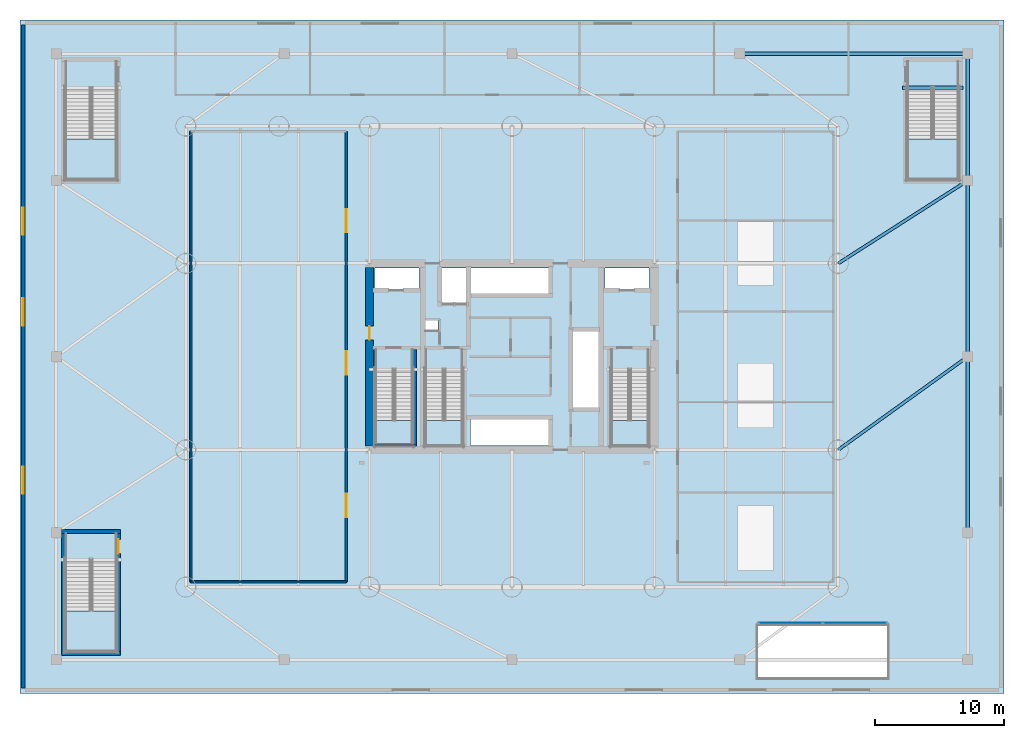
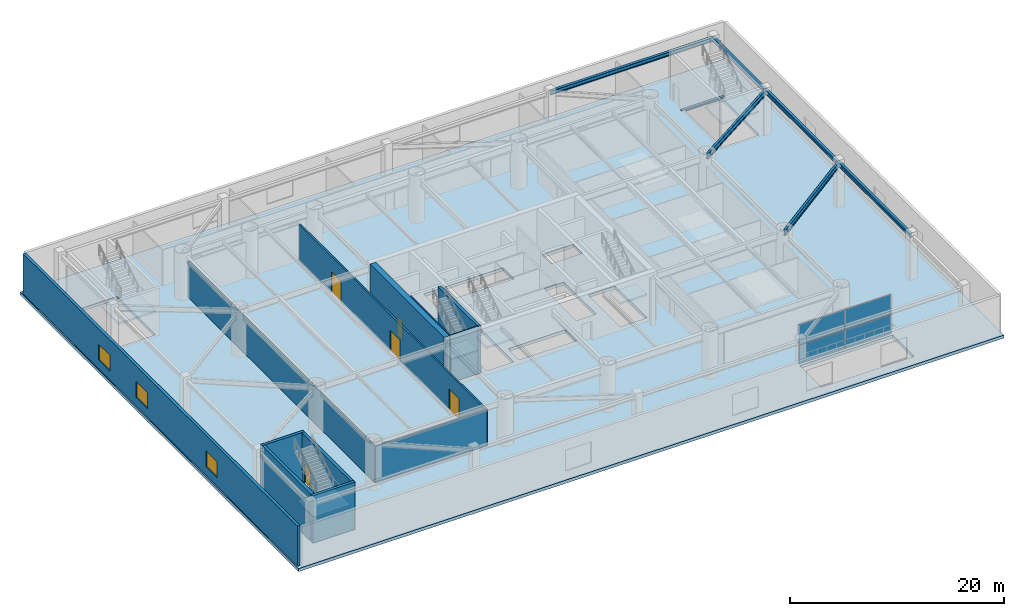
# One storey, part 5 of 16: 12 walls, 7 beams, 7 slabs, 5 doors, 4 plates, 3 windows, 8 openings, 7 elements without a shape of their own.
"""IFC4 building model written with IfcOpenShell, lengths in metres."""

from ifc_helpers import new_model, si_unit, direction, frame, frame_2d, origin, origin_2d, place, context, subcontext, project, spatial, polyline, rectangle, i_section, outline, extrude, material, layer, layer_set, material_profile, profile_set, type_object, element, fill, aggregate, save


model = new_model("IFC4")

# Units and contexts
model_context = context("Model", 3, precision=1e-05, world=origin(), true_north=direction((0.0, 1.0)))
body_context = subcontext(model_context, "Body", "Model", "MODEL_VIEW")
ifc_project = project(units=[si_unit("LENGTHUNIT", "METRE"), si_unit("AREAUNIT", "SQUARE_METRE"), si_unit("VOLUMEUNIT", "CUBIC_METRE"), si_unit("PLANEANGLEUNIT", "RADIAN"), si_unit("MASSUNIT", "GRAM", prefix="KILO")], contexts=[model_context])

# Site, building, storey
site_placement = place(None, origin())
site = spatial("IfcSite", under=ifc_project, at=site_placement, CompositionType="ELEMENT")
building_placement = place(site_placement, origin())
building = spatial("IfcBuilding", under=site, at=building_placement, Name="Bramvorn Convention Spire", CompositionType="ELEMENT")
storey_placement = place(building_placement, frame((0.0, 0.0, 18.60009765625)))
storey = spatial("IfcBuildingStorey", under=building, at=storey_placement, Name="L03", CompositionType="ELEMENT", Elevation=18.60009765625)

# Beams
ifc_material_1 = material(Name="Steel CSA G40.21 Grade 350 (350W)", Category="steel")
ifc_material_profile_1 = material_profile(ifc_material_1, i_section(OverallWidth=0.25390625, OverallDepth=0.2529296875, WebThickness=0.008544921875, FlangeThickness=0.01416015625, FilletRadius=0.011962890625, at=origin_2d()))
ifc_profile_set_1 = profile_set([ifc_material_profile_1], Name="Steel CSA G40.21 Grade 350 (350W) - W250X73")
beam_type_1 = type_object("IfcBeamType", Name="BM-W250X73", PredefinedType="BEAM", material=ifc_profile_set_1)
beam_1_placement = place(storey_placement, frame((68.169921875, 46.760009765625, -0.126708984375), z_axis=(1.0, 0.0, 0.0), x_axis=(0.0, 1.0, 0.0)))
element("IfcBeam", 1, at=beam_1_placement, inside=storey, type_object=beam_type_1, Name="L03 ST5 stair arrival header beam", PredefinedType="BEAM", context=body_context, shape_type="SweptSolid", body=[
    extrude(i_section(OverallWidth=0.25390625, OverallDepth=0.2529296875, WebThickness=0.008544921875, FlangeThickness=0.01416015625, FilletRadius=0.011962890625, at=origin_2d()), origin(), (0.0, 0.0, 1.0), 4.68017578125),
])
ifc_material_profile_2 = material_profile(ifc_material_1, i_section(OverallWidth=0.283935546875, OverallDepth=0.47607421875, WebThickness=0.014892578125, FlangeThickness=0.02392578125, FilletRadius=0.01806640625, at=origin_2d()))
ifc_profile_set_2 = profile_set([ifc_material_profile_2], Name="Steel CSA G40.21 Grade 350 (350W) - W460X158")
beam_type_2 = type_object("IfcBeamType", Name="BM-W460X158", PredefinedType="SPANDREL", material=ifc_profile_set_2)
for number, where, z_axis, x_axis, name in (
    (2, (73.199951171875, 12.39990234375, 4.81201171875), (0.0, 1.0, 0.0), (-1.0, 0.0, 0.0), "L03 podium spandrel beam 06"),
    (3, (73.199951171875, 26.0, 4.81201171875), (0.0, 1.0, 0.0), (-1.0, 0.0, 0.0), "L03 podium spandrel beam 07"),
):
    element("IfcBeam", number, at=place(storey_placement, frame(where, z_axis=z_axis, x_axis=x_axis)), inside=storey, type_object=beam_type_2, Name=name, PredefinedType="SPANDREL", context=body_context, shape_type="SweptSolid", body=[
        extrude(i_section(OverallWidth=0.283935546875, OverallDepth=0.47607421875, WebThickness=0.014892578125, FlangeThickness=0.02392578125, FilletRadius=0.01806640625, at=origin_2d()), origin(), (0.0, 0.0, 1.0), 13.60009765625),
    ])
beam_2_placement = place(storey_placement, frame((73.199951171875, 39.60009765625, 4.81201171875), z_axis=(0.0, 1.0, 0.0), x_axis=(-1.0, 0.0, 0.0)))
element("IfcBeam", 4, at=beam_2_placement, inside=storey, type_object=beam_type_2, Name="L03 podium spandrel beam 08", PredefinedType="SPANDREL", context=body_context, shape_type="SweptSolid", body=[
    extrude(i_section(OverallWidth=0.283935546875, OverallDepth=0.47607421875, WebThickness=0.014892578125, FlangeThickness=0.02392578125, FilletRadius=0.01806640625, at=origin_2d()), origin(), (0.0, 0.0, 1.0), 9.7998046875),
])
beam_3_placement = place(storey_placement, frame((73.199951171875, 49.39990234375, 4.81201171875), z_axis=(-1.0, 0.0, 0.0), x_axis=(0.0, -1.0, 0.0)))
element("IfcBeam", 5, at=beam_3_placement, inside=storey, type_object=beam_type_2, Name="L03 podium spandrel beam 09", PredefinedType="SPANDREL", context=body_context, shape_type="SweptSolid", body=[
    extrude(i_section(OverallWidth=0.283935546875, OverallDepth=0.47607421875, WebThickness=0.014892578125, FlangeThickness=0.02392578125, FilletRadius=0.01806640625, at=origin_2d()), origin(), (0.0, 0.0, 1.0), 17.599853515625),
])
ifc_material_profile_3 = material_profile(ifc_material_1, i_section(OverallWidth=0.22998046875, OverallDepth=0.616943359375, WebThickness=0.01318359375, FlangeThickness=0.022216796875, FilletRadius=0.02001953125, at=origin_2d()))
ifc_profile_set_3 = profile_set([ifc_material_profile_3], Name="Steel CSA G40.21 Grade 350 (350W) - W610X140")
beam_type_3 = type_object("IfcBeamType", Name="BM-W610X140", PredefinedType="BEAM", material=ifc_profile_set_3)
beam_4_placement = place(storey_placement, frame((63.199951171875, 18.800048828125, 4.741455078125), z_axis=(0.811536220436, 0.584302116135, 0.0), x_axis=(-0.584302116135, 0.811536220436, 0.0)))
element("IfcBeam", 6, at=beam_4_placement, inside=storey, type_object=beam_type_3, Name="L03 podium east bay girder 1", PredefinedType="BEAM", context=body_context, shape_type="SweptSolid", body=[
    extrude(i_section(OverallWidth=0.22998046875, OverallDepth=0.616943359375, WebThickness=0.01318359375, FlangeThickness=0.022216796875, FilletRadius=0.02001953125, at=origin_2d()), origin(), (0.0, 0.0, 1.0), 12.322265625),
])
beam_5_placement = place(storey_placement, frame((63.199951171875, 33.199951171875, 4.741455078125), z_axis=(0.842265798855, 0.539062449145, 0.0), x_axis=(-0.539062449145, 0.842265798855, 0.0)))
element("IfcBeam", 7, at=beam_5_placement, inside=storey, type_object=beam_type_3, Name="L03 podium east bay girder 2", PredefinedType="BEAM", context=body_context, shape_type="SweptSolid", body=[
    extrude(i_section(OverallWidth=0.22998046875, OverallDepth=0.616943359375, WebThickness=0.01318359375, FlangeThickness=0.022216796875, FilletRadius=0.02001953125, at=origin_2d()), origin(), (0.0, 0.0, 1.0), 11.872802734375),
])

# Curtain wall, plates
ifc_material_2 = material(Name="Anodised Bronze Unitised Curtain Wall", Category="aluminium")
ifc_layer_1 = layer(ifc_material_2, 0.219970703125)
ifc_layer_set_1 = layer_set([ifc_layer_1], Name="Anodised Bronze Unitised Curtain Wall - CW-POD-LANCET")
curtain_wall_type = type_object("IfcCurtainWallType", Name="CW-POD-LANCET", PredefinedType="USERDEFINED", material=ifc_layer_set_1)
curtain_wall_placement = place(storey_placement, origin())
curtain_wall = element("IfcCurtainWall", 8, at=curtain_wall_placement, inside=storey, type_object=curtain_wall_type, Name="L03 SE colonnade lancet curtain wall", ObjectType="UNITISED CURTAIN WALL", PredefinedType="USERDEFINED")
ifc_material_3 = material(Name="Laminated Low-E Glass (Acoustic Laminated Podium Triple IGU)", Category="glass")
ifc_layer_2 = layer(ifc_material_3, 0.0458984375)
ifc_layer_set_2 = layer_set([ifc_layer_2], Name="Laminated Low-E Glass (Acoustic Laminated Podium Triple IGU) - PNL-IGU-5")
plate_type = type_object("IfcPlateType", Name="PNL-IGU-5", PredefinedType="CURTAIN_PANEL", material=ifc_layer_set_2)
plate_1_placement = place(storey_placement, frame((59.514892578125, 5.449951171875, 0.06005859375), z_axis=(0.0, 0.0, 1.0), x_axis=(1.0, 0.0, 0.0)))
plate_1 = element("IfcPlate", 9, at=plate_1_placement, type_object=plate_type, Name="CW1 panel 1.1", PredefinedType="CURTAIN_PANEL", context=body_context, shape_type="SweptSolid", body=[
    extrude(rectangle(XDim=4.909912109375, YDim=0.028076171875, at=origin_2d()), origin(), (0.0, 0.0, 1.0), 2.110107421875),
])
plate_2_placement = place(storey_placement, frame((59.514892578125, 5.449951171875, 2.22998046875), z_axis=(0.0, 0.0, 1.0), x_axis=(1.0, 0.0, 0.0)))
plate_2 = element("IfcPlate", 10, at=plate_2_placement, type_object=plate_type, Name="CW1 panel 1.2", PredefinedType="CURTAIN_PANEL", context=body_context, shape_type="SweptSolid", body=[
    extrude(rectangle(XDim=4.909912109375, YDim=0.028076171875, at=origin_2d()), origin(), (0.0, 0.0, 1.0), 2.27001953125),
])
plate_3_placement = place(storey_placement, frame((64.485107421875, 5.449951171875, 0.06005859375), z_axis=(0.0, 0.0, 1.0), x_axis=(1.0, 0.0, 0.0)))
plate_3 = element("IfcPlate", 11, at=plate_3_placement, type_object=plate_type, Name="CW1 panel 2.1", PredefinedType="CURTAIN_PANEL", context=body_context, shape_type="SweptSolid", body=[
    extrude(rectangle(XDim=4.909912109375, YDim=0.028076171875, at=origin_2d()), origin(), (0.0, 0.0, 1.0), 2.110107421875),
])
plate_4_placement = place(storey_placement, frame((64.485107421875, 5.449951171875, 2.22998046875), z_axis=(0.0, 0.0, 1.0), x_axis=(1.0, 0.0, 0.0)))
plate_4 = element("IfcPlate", 12, at=plate_4_placement, type_object=plate_type, Name="CW1 panel 2.2", PredefinedType="CURTAIN_PANEL", context=body_context, shape_type="SweptSolid", body=[
    extrude(rectangle(XDim=4.909912109375, YDim=0.028076171875, at=origin_2d()), origin(), (0.0, 0.0, 1.0), 2.27001953125),
])
aggregate(curtain_wall, [plate_1, plate_2, plate_3, plate_4])

# Slab
ifc_material_4 = material(Name="Concrete C50/60", Category="concrete")
ifc_layer_3 = layer(ifc_material_4, 0.35009765625)
ifc_layer_set_3 = layer_set([ifc_layer_3], Name="Concrete C50/60 - SLB-POD-350")
slab_type_1 = type_object("IfcSlabType", Name="SLB-POD-350", PredefinedType="FLOOR", material=ifc_layer_set_3)
slab_1_placement = place(storey_placement, frame((0.0, 0.0, -0.35009765625)))
element("IfcSlab", 13, at=slab_1_placement, inside=storey, type_object=slab_type_1, Name="L03 podium composite floor slab", PredefinedType="FLOOR", context=body_context, shape_type="SweptSolid", body=[
    extrude(outline(polyline([(0.0, 0.0), (76.0, 0.0), (76.0, 52.0), (0.0, 52.0), (0.0, 0.0)]), holes=[polyline([(27.449951171875, 25.050048828125), (27.449951171875, 19.10009765625), (30.35009765625, 19.10009765625), (30.35009765625, 25.050048828125), (27.449951171875, 25.050048828125)]), polyline([(45.64990234375, 25.050048828125), (45.64990234375, 19.10009765625), (48.550048828125, 19.10009765625), (48.550048828125, 25.050048828125), (45.64990234375, 25.050048828125)]), polyline([(31.300048828125, 25.050048828125), (31.300048828125, 19.10009765625), (34.199951171875, 19.10009765625), (34.199951171875, 25.050048828125), (31.300048828125, 25.050048828125)]), polyline([(3.5, 10.35009765625), (3.5, 3.199951171875), (7.47998046875, 3.199951171875), (7.47998046875, 10.35009765625), (3.5, 10.35009765625)]), polyline([(68.52001953125, 46.800048828125), (68.52001953125, 39.64990234375), (72.5, 39.64990234375), (72.5, 46.800048828125), (68.52001953125, 46.800048828125)]), polyline([(3.5, 46.800048828125), (3.5, 39.64990234375), (7.47998046875, 39.64990234375), (7.47998046875, 46.800048828125), (3.5, 46.800048828125)]), polyline([(27.39990234375, 31.219970703125), (30.800048828125, 31.219970703125), (30.800048828125, 32.85009765625), (27.39990234375, 32.85009765625), (27.39990234375, 31.219970703125)]), polyline([(45.199951171875, 31.219970703125), (48.60009765625, 31.219970703125), (48.60009765625, 32.85009765625), (45.199951171875, 32.85009765625), (45.199951171875, 31.219970703125)]), polyline([(32.449951171875, 30.14990234375), (34.56005859375, 30.14990234375), (34.56005859375, 32.85009765625), (32.449951171875, 32.85009765625), (32.449951171875, 30.14990234375)]), polyline([(34.800048828125, 30.800048828125), (40.97998046875, 30.800048828125), (40.97998046875, 32.85009765625), (34.800048828125, 32.85009765625), (34.800048828125, 30.800048828125)]), polyline([(34.800048828125, 19.14990234375), (40.97998046875, 19.14990234375), (40.97998046875, 21.199951171875), (34.800048828125, 21.199951171875), (34.800048828125, 19.14990234375)]), polyline([(42.6201171875, 22.0), (44.75, 22.0), (44.75, 28.0), (42.6201171875, 28.0), (42.6201171875, 22.0)]), polyline([(31.320068359375, 28.02001953125), (32.280029296875, 28.02001953125), (32.280029296875, 28.820068359375), (31.320068359375, 28.820068359375), (31.320068359375, 28.02001953125)]), polyline([(57.0, 1.199951171875), (67.0, 1.199951171875), (67.0, 5.199951171875), (57.0, 5.199951171875), (57.0, 1.199951171875)])]), origin(), (0.0, 0.0, 1.0), 0.35009765625),
])

# Stair, slab
ifc_material_5 = material(Name="Concrete C40/50 Precast Stair", Category="concrete")
stair_type_1 = type_object("IfcStairType", Name="ST-TOWER-1550", PredefinedType="HALF_TURN_STAIR", material=ifc_material_5)
stair_1_placement = place(storey_placement, origin())
stair_1 = element("IfcStair", 14, at=stair_1_placement, inside=storey, type_object=stair_type_1, Name="L03 Protected Exit Stair ST1", PredefinedType="HALF_TURN_STAIR")
ifc_material_6 = material(Name="Concrete C40/50 Stair Landing", Category="concrete")
ifc_layer_4 = layer(ifc_material_6, 0.219970703125)
ifc_layer_set_4 = layer_set([ifc_layer_4], Name="Concrete C40/50 Stair Landing - SLB-STAIR-LANDING")
slab_type_2 = type_object("IfcSlabType", Name="SLB-STAIR-LANDING", PredefinedType="LANDING", material=ifc_layer_set_4)
slab_2_placement = place(storey_placement, frame((0.0, 0.0, 2.5)))
slab_2 = element("IfcSlab", 15, at=slab_2_placement, type_object=slab_type_2, Name="ST1 landing 1", PredefinedType="LANDING", context=body_context, shape_type="SweptSolid", body=[
    extrude(outline(polyline([(27.449951171875, 21.06005859375), (27.449951171875, 19.10009765625), (30.35009765625, 19.10009765625), (30.35009765625, 21.06005859375), (27.449951171875, 21.06005859375)])), origin(), (0.0, 0.0, 1.0), 0.199951171875),
])
aggregate(stair_1, [slab_2])

stair_2_placement = place(storey_placement, origin())
stair_2 = element("IfcStair", 16, at=stair_2_placement, inside=storey, type_object=stair_type_1, Name="L03 Protected Exit Stair ST2", PredefinedType="HALF_TURN_STAIR")
slab_3_placement = place(storey_placement, frame((0.0, 0.0, 2.5)))
slab_3 = element("IfcSlab", 17, at=slab_3_placement, type_object=slab_type_2, Name="ST2 landing 1", PredefinedType="LANDING", context=body_context, shape_type="SweptSolid", body=[
    extrude(outline(polyline([(45.64990234375, 21.06005859375), (45.64990234375, 19.10009765625), (48.550048828125, 19.10009765625), (48.550048828125, 21.06005859375), (45.64990234375, 21.06005859375)])), origin(), (0.0, 0.0, 1.0), 0.199951171875),
])
aggregate(stair_2, [slab_3])

stair_3_placement = place(storey_placement, origin())
stair_3 = element("IfcStair", 18, at=stair_3_placement, inside=storey, type_object=stair_type_1, Name="L03 Protected Exit Stair ST3", PredefinedType="HALF_TURN_STAIR")
slab_4_placement = place(storey_placement, frame((0.0, 0.0, 2.5)))
slab_4 = element("IfcSlab", 19, at=slab_4_placement, type_object=slab_type_2, Name="ST3 landing 1", PredefinedType="LANDING", context=body_context, shape_type="SweptSolid", body=[
    extrude(outline(polyline([(31.300048828125, 21.06005859375), (31.300048828125, 19.10009765625), (34.199951171875, 19.10009765625), (34.199951171875, 21.06005859375), (31.300048828125, 21.06005859375)])), origin(), (0.0, 0.0, 1.0), 0.199951171875),
])
aggregate(stair_3, [slab_4])

ifc_material_7 = material(Name="Concrete C40/50 Grand Exit Stair", Category="concrete")
stair_type_2 = type_object("IfcStairType", Name="ST-PODIUM-1950", PredefinedType="HALF_TURN_STAIR", material=ifc_material_7)
stair_4_placement = place(storey_placement, origin())
stair_4 = element("IfcStair", 20, at=stair_4_placement, inside=storey, type_object=stair_type_2, Name="L03 Protected Exit Stair ST4", PredefinedType="HALF_TURN_STAIR")
slab_5_placement = place(storey_placement, frame((0.0, 0.0, 2.5)))
slab_5 = element("IfcSlab", 21, at=slab_5_placement, type_object=slab_type_2, Name="ST4 landing 1", PredefinedType="LANDING", context=body_context, shape_type="SweptSolid", body=[
    extrude(outline(polyline([(3.5, 6.360107421875), (3.5, 3.199951171875), (7.47998046875, 3.199951171875), (7.47998046875, 6.360107421875), (3.5, 6.360107421875)])), origin(), (0.0, 0.0, 1.0), 0.199951171875),
])
aggregate(stair_4, [slab_5])

stair_5_placement = place(storey_placement, origin())
stair_5 = element("IfcStair", 22, at=stair_5_placement, inside=storey, type_object=stair_type_2, Name="L03 Protected Exit Stair ST5", PredefinedType="HALF_TURN_STAIR")
slab_6_placement = place(storey_placement, frame((0.0, 0.0, 2.5)))
slab_6 = element("IfcSlab", 23, at=slab_6_placement, type_object=slab_type_2, Name="ST5 landing 1", PredefinedType="LANDING", context=body_context, shape_type="SweptSolid", body=[
    extrude(outline(polyline([(68.52001953125, 42.81005859375), (68.52001953125, 39.64990234375), (72.5, 39.64990234375), (72.5, 42.81005859375), (68.52001953125, 42.81005859375)])), origin(), (0.0, 0.0, 1.0), 0.199951171875),
])
aggregate(stair_5, [slab_6])

stair_6_placement = place(storey_placement, origin())
stair_6 = element("IfcStair", 24, at=stair_6_placement, inside=storey, type_object=stair_type_2, Name="L03 Protected Exit Stair ST6", PredefinedType="HALF_TURN_STAIR")
slab_7_placement = place(storey_placement, frame((0.0, 0.0, 2.5)))
slab_7 = element("IfcSlab", 25, at=slab_7_placement, type_object=slab_type_2, Name="ST6 landing 1", PredefinedType="LANDING", context=body_context, shape_type="SweptSolid", body=[
    extrude(outline(polyline([(3.5, 42.81005859375), (3.5, 39.64990234375), (7.47998046875, 39.64990234375), (7.47998046875, 42.81005859375), (3.5, 42.81005859375)])), origin(), (0.0, 0.0, 1.0), 0.199951171875),
])
aggregate(stair_6, [slab_7])

# Wall, opening, door
ifc_material_8 = material(Name="Concrete C60/70", Category="concrete")
ifc_layer_5 = layer(ifc_material_8, 0.60009765625)
ifc_layer_set_5 = layer_set([ifc_layer_5], Name="Concrete C60/70 - WL-CORE-600")
wall_type_1 = type_object("IfcWallType", Name="WL-CORE-600", PredefinedType="SHEAR", material=ifc_layer_set_5)
wall_1_placement = place(storey_placement, frame((27.0, 19.10009765625, 0.0), z_axis=(0.0, 0.0, 1.0), x_axis=(0.0, 1.0, 0.0)))
wall_1 = element("IfcWall", 26, at=wall_1_placement, inside=storey, type_object=wall_type_1, Name="L03 West RC core shear wall", PredefinedType="SHEAR", context=body_context, shape_type="SweptSolid", body=[
    extrude(rectangle(XDim=13.7998046875, YDim=0.60009765625, at=frame_2d((6.89990234375, 0.0))), origin(), (0.0, 0.0, 1.0), 5.39990234375),
])
opening_1_placement = place(wall_1_placement, frame((8.199951171875, 0.0, 0.0)))
opening_1 = element("IfcOpeningElement", 27, at=opening_1_placement, cuts=wall_1, Name="Opening DL-105", PredefinedType="OPENING", context=body_context, shape_type="SweptSolid", body=[
    extrude(rectangle(XDim=1.050048828125, YDim=2.14990234375, at=frame_2d((0.52490234375, 1.074951171875))), frame((0.0, 0.31005859375, 0.0), z_axis=(0.0, -1.0, 0.0), x_axis=(1.0, 0.0, 0.0)), (0.0, 0.0, 1.0), 0.6201171875),
])
ifc_material_9 = material(Name="Smoke-Sealed Fire Lobby Timber-Core Door", Category="wood")
door_type_1 = type_object("IfcDoorType", Name="DR-LOBBY-1050", OperationType="NOTDEFINED", PredefinedType="DOOR", material=ifc_material_9)
door_1_placement = place(opening_1_placement, origin())
door_1 = element("IfcDoor", 28, at=door_1_placement, inside=storey, type_object=door_type_1, Name="L03 West Firefighting Lobby corridor door", OperationType="SINGLE_SWING_RIGHT", OverallHeight=2.14990234375, OverallWidth=1.050048828125, PredefinedType="DOOR", context=body_context, shape_type="SweptSolid", body=[
    extrude(rectangle(XDim=1.050048828125, YDim=2.14990234375, at=frame_2d((0.52490234375, 1.074951171875))), frame((0.0, 0.02490234375, 0.0), z_axis=(0.0, -1.0, 0.0), x_axis=(1.0, 0.0, 0.0)), (0.0, 0.0, 1.0), 0.050048828125),
])
fill(opening_1, door_1)

# Wall, openings, windows
ifc_material_10 = material(Name="Precast Concrete C40/50 with Bronze Terracotta Rainscreen", Category="masonry")
ifc_layer_6 = layer(ifc_material_10, 0.300048828125)
ifc_layer_set_6 = layer_set([ifc_layer_6], Name="Precast Concrete C40/50 with Bronze Terracotta Rainscreen - WL-EXT-BRONZE-300")
wall_type_2 = type_object("IfcWallType", Name="WL-EXT-BRONZE-300", PredefinedType="SOLIDWALL", material=ifc_layer_set_6)
wall_2_placement = place(storey_placement, frame((0.25, 0.39990234375, 0.0), z_axis=(0.0, 0.0, 1.0), x_axis=(0.0, 1.0, 0.0)))
wall_2 = element("IfcWall", 29, at=wall_2_placement, inside=storey, type_object=wall_type_2, Name="L03 West podium bronze facade wall", PredefinedType="SOLIDWALL", context=body_context, shape_type="SweptSolid", body=[
    extrude(rectangle(XDim=51.2001953125, YDim=0.300048828125, at=frame_2d((25.60009765625, 0.0))), origin(), (0.0, 0.0, 1.0), 4.559814453125),
])
opening_2_placement = place(wall_2_placement, frame((15.0, 0.0, 1.0)))
opening_2 = element("IfcOpeningElement", 30, at=opening_2_placement, cuts=wall_2, Name="Opening WN04", PredefinedType="OPENING", context=body_context, shape_type="SweptSolid", body=[
    extrude(rectangle(XDim=2.10009765625, YDim=1.800048828125, at=frame_2d((1.050048828125, 0.89990234375))), frame((0.0, 0.159912109375, 0.0), z_axis=(0.0, -1.0, 0.0), x_axis=(1.0, 0.0, 0.0)), (0.0, 0.0, 1.0), 0.320068359375),
])
opening_3_placement = place(wall_2_placement, frame((28.0, 0.0, 1.0)))
opening_3 = element("IfcOpeningElement", 31, at=opening_3_placement, cuts=wall_2, Name="Opening WN04", PredefinedType="OPENING", context=body_context, shape_type="SweptSolid", body=[
    extrude(rectangle(XDim=2.10009765625, YDim=1.800048828125, at=frame_2d((1.050048828125, 0.89990234375))), frame((0.0, 0.159912109375, 0.0), z_axis=(0.0, -1.0, 0.0), x_axis=(1.0, 0.0, 0.0)), (0.0, 0.0, 1.0), 0.320068359375),
])
opening_4_placement = place(wall_2_placement, frame((35.0, 0.0, 1.0)))
opening_4 = element("IfcOpeningElement", 32, at=opening_4_placement, cuts=wall_2, Name="Opening WN04", PredefinedType="OPENING", context=body_context, shape_type="SweptSolid", body=[
    extrude(rectangle(XDim=2.10009765625, YDim=1.800048828125, at=frame_2d((1.050048828125, 0.89990234375))), frame((0.0, 0.159912109375, 0.0), z_axis=(0.0, -1.0, 0.0), x_axis=(1.0, 0.0, 0.0)), (0.0, 0.0, 1.0), 0.320068359375),
])
ifc_material_11 = material(Name="Thermally Broken Bronze Aluminium & Triple Low-E Glass", Category="aluminium")
window_type = type_object("IfcWindowType", Name="WN-OP-2100X1800", PartitioningType="SINGLE_PANEL", PredefinedType="WINDOW", material=ifc_material_11)
window_1_placement = place(opening_2_placement, origin())
window_1 = element("IfcWindow", 33, at=window_1_placement, inside=storey, type_object=window_type, Name="L03 West operable window 1", OverallHeight=1.800048828125, OverallWidth=2.10009765625, PartitioningType="SINGLE_PANEL", PredefinedType="WINDOW", context=body_context, shape_type="SweptSolid", body=[
    extrude(rectangle(XDim=2.10009765625, YDim=1.800048828125, at=frame_2d((1.050048828125, 0.89990234375))), frame((0.0, 0.030029296875, 0.0), z_axis=(0.0, -1.0, 0.0), x_axis=(1.0, 0.0, 0.0)), (0.0, 0.0, 1.0), 0.06005859375),
])
fill(opening_2, window_1)
window_2_placement = place(opening_3_placement, origin())
window_2 = element("IfcWindow", 34, at=window_2_placement, inside=storey, type_object=window_type, Name="L03 West operable window 2", OverallHeight=1.800048828125, OverallWidth=2.10009765625, PartitioningType="SINGLE_PANEL", PredefinedType="WINDOW", context=body_context, shape_type="SweptSolid", body=[
    extrude(rectangle(XDim=2.10009765625, YDim=1.800048828125, at=frame_2d((1.050048828125, 0.89990234375))), frame((0.0, 0.030029296875, 0.0), z_axis=(0.0, -1.0, 0.0), x_axis=(1.0, 0.0, 0.0)), (0.0, 0.0, 1.0), 0.06005859375),
])
fill(opening_3, window_2)
window_3_placement = place(opening_4_placement, origin())
window_3 = element("IfcWindow", 35, at=window_3_placement, inside=storey, type_object=window_type, Name="L03 West operable window 3", OverallHeight=1.800048828125, OverallWidth=2.10009765625, PartitioningType="SINGLE_PANEL", PredefinedType="WINDOW", context=body_context, shape_type="SweptSolid", body=[
    extrude(rectangle(XDim=2.10009765625, YDim=1.800048828125, at=frame_2d((1.050048828125, 0.89990234375))), frame((0.0, 0.030029296875, 0.0), z_axis=(0.0, -1.0, 0.0), x_axis=(1.0, 0.0, 0.0)), (0.0, 0.0, 1.0), 0.06005859375),
])
fill(opening_4, window_3)

# Walls
ifc_material_12 = material(Name="Acoustic Metal-Stud Tenant/Corridor Partition", Category="gypsum")
ifc_layer_7 = layer(ifc_material_12, 0.14990234375)
ifc_layer_set_7 = layer_set([ifc_layer_7], Name="Acoustic Metal-Stud Tenant/Corridor Partition - WL-PART-150")
wall_type_3 = type_object("IfcWallType", Name="WL-PART-150", PredefinedType="PARTITIONING", material=ifc_layer_set_7)
wall_3_placement = place(storey_placement, frame((13.199951171875, 8.60009765625, 0.0), z_axis=(0.0, 0.0, 1.0), x_axis=(1.0, 0.0, 0.0)))
element("IfcWall", 36, at=wall_3_placement, inside=storey, type_object=wall_type_3, Name="L03 Ballroom south wall", PredefinedType="PARTITIONING", context=body_context, shape_type="SweptSolid", body=[
    extrude(rectangle(XDim=12.0, YDim=0.14990234375, at=frame_2d((6.0, 0.0))), origin(), (0.0, 0.0, 1.0), 4.10986328125),
])
wall_4_placement = place(storey_placement, frame((13.199951171875, 8.60009765625, 0.0), z_axis=(0.0, 0.0, 1.0), x_axis=(0.0, 1.0, 0.0)))
element("IfcWall", 37, at=wall_4_placement, inside=storey, type_object=wall_type_3, Name="L03 Ballroom west wall", PredefinedType="PARTITIONING", context=body_context, shape_type="SweptSolid", body=[
    extrude(rectangle(XDim=34.7998046875, YDim=0.14990234375, at=frame_2d((17.39990234375, 0.0))), origin(), (0.0, 0.0, 1.0), 4.10986328125),
])

# Wall, openings, doors
ifc_material_13 = material(Name="Double-Stud Acoustic Hotel/Suite Partition", Category="gypsum")
ifc_layer_8 = layer(ifc_material_13, 0.175048828125)
ifc_layer_set_8 = layer_set([ifc_layer_8], Name="Double-Stud Acoustic Hotel/Suite Partition - WL-PART-175")
wall_type_4 = type_object("IfcWallType", Name="WL-PART-175", PredefinedType="PARTITIONING", material=ifc_layer_set_8)
wall_5_placement = place(storey_placement, frame((25.199951171875, 8.60009765625, 0.0), z_axis=(0.0, 0.0, 1.0), x_axis=(0.0, 1.0, 0.0)))
wall_5 = element("IfcWall", 38, at=wall_5_placement, inside=storey, type_object=wall_type_4, Name="L03 Grand Ballroom foyer wall", PredefinedType="PARTITIONING", context=body_context, shape_type="SweptSolid", body=[
    extrude(rectangle(XDim=34.7998046875, YDim=0.175048828125, at=frame_2d((17.39990234375, 0.0))), origin(), (0.0, 0.0, 1.0), 4.10986328125),
])
opening_5_placement = place(wall_5_placement, frame((5.0, 0.0, 0.0)))
opening_5 = element("IfcOpeningElement", 39, at=opening_5_placement, cuts=wall_5, Name="Opening DH-180", PredefinedType="OPENING", context=body_context, shape_type="SweptSolid", body=[
    extrude(rectangle(XDim=1.800048828125, YDim=2.35009765625, at=frame_2d((0.89990234375, 1.175048828125))), frame((0.0, 0.097412109375, 0.0), z_axis=(0.0, -1.0, 0.0), x_axis=(1.0, 0.0, 0.0)), (0.0, 0.0, 1.0), 0.195068359375),
])
opening_6_placement = place(wall_5_placement, frame((16.0, 0.0, 0.0)))
opening_6 = element("IfcOpeningElement", 40, at=opening_6_placement, cuts=wall_5, Name="Opening DH-180", PredefinedType="OPENING", context=body_context, shape_type="SweptSolid", body=[
    extrude(rectangle(XDim=1.800048828125, YDim=2.35009765625, at=frame_2d((0.89990234375, 1.175048828125))), frame((0.0, 0.097412109375, 0.0), z_axis=(0.0, -1.0, 0.0), x_axis=(1.0, 0.0, 0.0)), (0.0, 0.0, 1.0), 0.195068359375),
])
opening_7_placement = place(wall_5_placement, frame((27.0, 0.0, 0.0)))
opening_7 = element("IfcOpeningElement", 41, at=opening_7_placement, cuts=wall_5, Name="Opening DH-180", PredefinedType="OPENING", context=body_context, shape_type="SweptSolid", body=[
    extrude(rectangle(XDim=1.800048828125, YDim=2.35009765625, at=frame_2d((0.89990234375, 1.175048828125))), frame((0.0, 0.097412109375, 0.0), z_axis=(0.0, -1.0, 0.0), x_axis=(1.0, 0.0, 0.0)), (0.0, 0.0, 1.0), 0.195068359375),
])
ifc_material_14 = material(Name="Double-Leaf Acoustic Assembly Hall Door", Category="wood")
door_type_2 = type_object("IfcDoorType", Name="DR-HALL-1800", OperationType="NOTDEFINED", PredefinedType="DOOR", material=ifc_material_14)
door_2_placement = place(opening_5_placement, origin())
door_2 = element("IfcDoor", 42, at=door_2_placement, inside=storey, type_object=door_type_2, Name="L03 Grand Ballroom portal 1", OperationType="DOUBLE_DOOR_SINGLE_SWING", OverallHeight=2.35009765625, OverallWidth=1.800048828125, PredefinedType="DOOR", context=body_context, shape_type="SweptSolid", body=[
    extrude(rectangle(XDim=1.800048828125, YDim=2.35009765625, at=frame_2d((0.89990234375, 1.175048828125))), frame((0.0, 0.02490234375, 0.0), z_axis=(0.0, -1.0, 0.0), x_axis=(1.0, 0.0, 0.0)), (0.0, 0.0, 1.0), 0.050048828125),
])
fill(opening_5, door_2)
door_3_placement = place(opening_6_placement, origin())
door_3 = element("IfcDoor", 43, at=door_3_placement, inside=storey, type_object=door_type_2, Name="L03 Grand Ballroom portal 2", OperationType="DOUBLE_DOOR_SINGLE_SWING", OverallHeight=2.35009765625, OverallWidth=1.800048828125, PredefinedType="DOOR", context=body_context, shape_type="SweptSolid", body=[
    extrude(rectangle(XDim=1.800048828125, YDim=2.35009765625, at=frame_2d((0.89990234375, 1.175048828125))), frame((0.0, 0.02490234375, 0.0), z_axis=(0.0, -1.0, 0.0), x_axis=(1.0, 0.0, 0.0)), (0.0, 0.0, 1.0), 0.050048828125),
])
fill(opening_6, door_3)
door_4_placement = place(opening_7_placement, origin())
door_4 = element("IfcDoor", 44, at=door_4_placement, inside=storey, type_object=door_type_2, Name="L03 Grand Ballroom portal 3", OperationType="DOUBLE_DOOR_SINGLE_SWING", OverallHeight=2.35009765625, OverallWidth=1.800048828125, PredefinedType="DOOR", context=body_context, shape_type="SweptSolid", body=[
    extrude(rectangle(XDim=1.800048828125, YDim=2.35009765625, at=frame_2d((0.89990234375, 1.175048828125))), frame((0.0, 0.02490234375, 0.0), z_axis=(0.0, -1.0, 0.0), x_axis=(1.0, 0.0, 0.0)), (0.0, 0.0, 1.0), 0.050048828125),
])
fill(opening_7, door_4)

# Walls
ifc_layer_9 = layer(ifc_material_4, 0.300048828125)
ifc_layer_set_9 = layer_set([ifc_layer_9], Name="Concrete C50/60 - WL-POD-STAIR-300")
wall_type_5 = type_object("IfcWallType", Name="WL-POD-STAIR-300", PredefinedType="SHEAR", material=ifc_layer_set_9)
wall_6_placement = place(storey_placement, frame((30.489990234375, 19.050048828125, 0.0), z_axis=(0.0, 0.0, 1.0), x_axis=(0.0, 1.0, 0.0)))
element("IfcWall", 45, at=wall_6_placement, inside=storey, type_object=wall_type_5, Name="L03 ST1 east bearing wall", PredefinedType="SHEAR", context=body_context, shape_type="SweptSolid", body=[
    extrude(rectangle(XDim=7.5, YDim=0.300048828125, at=frame_2d((3.75, 0.0))), origin(), (0.0, 0.0, 1.0), 5.39990234375),
])
for number, where, z_axis, x_axis, name in (
    (46, (3.2099609375, 3.06005859375, 0.0), (0.0, 0.0, 1.0), (1.0, 0.0, 0.0), "L03 ST4 south shaft wall"),
    (47, (3.2099609375, 12.489990234375, 0.0), (0.0, 0.0, 1.0), (1.0, 0.0, 0.0), "L03 ST4 north shaft wall"),
):
    element("IfcWall", number, at=place(storey_placement, frame(where, z_axis=z_axis, x_axis=x_axis)), inside=storey, type_object=wall_type_5, Name=name, PredefinedType="SHEAR", context=body_context, shape_type="SweptSolid", body=[
        extrude(rectangle(XDim=4.56005859375, YDim=0.300048828125, at=frame_2d((2.280029296875, 0.0))), origin(), (0.0, 0.0, 1.0), 5.39990234375),
    ])
wall_7_placement = place(storey_placement, frame((3.360107421875, 3.2099609375, 0.0), z_axis=(0.0, 0.0, 1.0), x_axis=(0.0, 1.0, 0.0)))
element("IfcWall", 48, at=wall_7_placement, inside=storey, type_object=wall_type_5, Name="L03 ST4 west shaft wall", PredefinedType="SHEAR", context=body_context, shape_type="SweptSolid", body=[
    extrude(rectangle(XDim=9.130126953125, YDim=0.300048828125, at=frame_2d((4.56494140625, 0.0))), origin(), (0.0, 0.0, 1.0), 5.39990234375),
])

# Wall, opening, door
wall_8_placement = place(storey_placement, frame((7.6201171875, 12.340087890625, 0.0), z_axis=(0.0, 0.0, 1.0), x_axis=(0.0, -1.0, 0.0)))
wall_8 = element("IfcWall", 49, at=wall_8_placement, inside=storey, type_object=wall_type_5, Name="L03 ST4 east shaft wall", PredefinedType="SHEAR", context=body_context, shape_type="SweptSolid", body=[
    extrude(rectangle(XDim=9.130126953125, YDim=0.300048828125, at=frame_2d((4.56494140625, 0.0))), origin(), (0.0, 0.0, 1.0), 5.39990234375),
])
opening_8_placement = place(wall_8_placement, frame((0.449951171875, 0.0, 0.0)))
opening_8 = element("IfcOpeningElement", 50, at=opening_8_placement, cuts=wall_8, Name="Opening DS-110", PredefinedType="OPENING", context=body_context, shape_type="SweptSolid", body=[
    extrude(rectangle(XDim=1.10009765625, YDim=2.14990234375, at=frame_2d((0.550048828125, 1.074951171875))), frame((0.0, 0.159912109375, 0.0), z_axis=(0.0, -1.0, 0.0), x_axis=(1.0, 0.0, 0.0)), (0.0, 0.0, 1.0), 0.320068359375),
])
ifc_material_15 = material(Name="Fire-Rated Hollow Steel Stairwell Door", Category="steel")
door_type_3 = type_object("IfcDoorType", Name="DR-STAIR-1100", OperationType="NOTDEFINED", PredefinedType="DOOR", material=ifc_material_15)
door_5_placement = place(opening_8_placement, origin())
door_5 = element("IfcDoor", 51, at=door_5_placement, inside=storey, type_object=door_type_3, Name="L03 ST4 exit stairwell door", OperationType="SINGLE_SWING_LEFT", OverallHeight=2.14990234375, OverallWidth=1.10009765625, PredefinedType="DOOR", context=body_context, shape_type="SweptSolid", body=[
    extrude(rectangle(XDim=1.10009765625, YDim=2.14990234375, at=frame_2d((0.550048828125, 1.074951171875))), frame((0.0, 0.02490234375, 0.0), z_axis=(0.0, -1.0, 0.0), x_axis=(1.0, 0.0, 0.0)), (0.0, 0.0, 1.0), 0.050048828125),
])
fill(opening_8, door_5)

# Walls
ifc_layer_10 = layer(ifc_material_4, 0.1201171875)
ifc_layer_set_10 = layer_set([ifc_layer_10], Name="Concrete C50/60 - WL-STAIR-RC-120")
wall_type_6 = type_object("IfcWallType", Name="WL-STAIR-RC-120", PredefinedType="SHEAR", material=ifc_layer_set_10)
wall_9_placement = place(storey_placement, frame((27.39501953125, 19.10009765625, 0.0), z_axis=(0.0, 0.0, 1.0), x_axis=(0.0, 1.0, 0.0)))
element("IfcWall", 52, at=wall_9_placement, inside=storey, type_object=wall_type_6, Name="L03 ST1 west bearing shear wall", PredefinedType="SHEAR", context=body_context, shape_type="SweptSolid", body=[
    extrude(rectangle(XDim=7.449951171875, YDim=0.1201171875, at=frame_2d((3.72509765625, 0.0))), origin(), (0.0, 0.0, 1.0), 5.39990234375),
])
wall_10_placement = place(storey_placement, frame((27.39501953125, 19.159912109375, 0.0), z_axis=(0.0, 0.0, 1.0), x_axis=(1.0, 0.0, 0.0)))
element("IfcWall", 53, at=wall_10_placement, inside=storey, type_object=wall_type_6, Name="L03 ST1 south bearing shear wall", PredefinedType="SHEAR", context=body_context, shape_type="SweptSolid", body=[
    extrude(rectangle(XDim=3.094970703125, YDim=0.1201171875, at=frame_2d((1.54736328125, 0.0))), origin(), (0.0, 0.0, 1.0), 5.39990234375),
])

save(model, "model.ifc")
